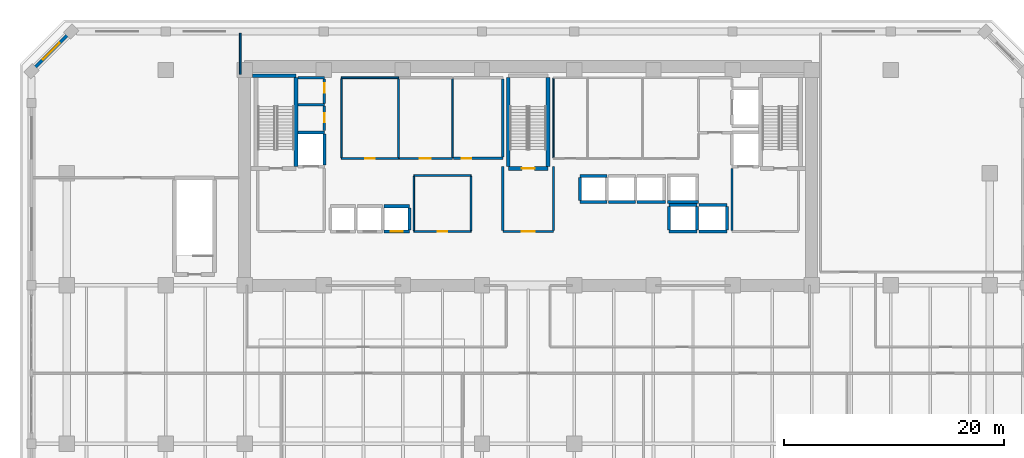
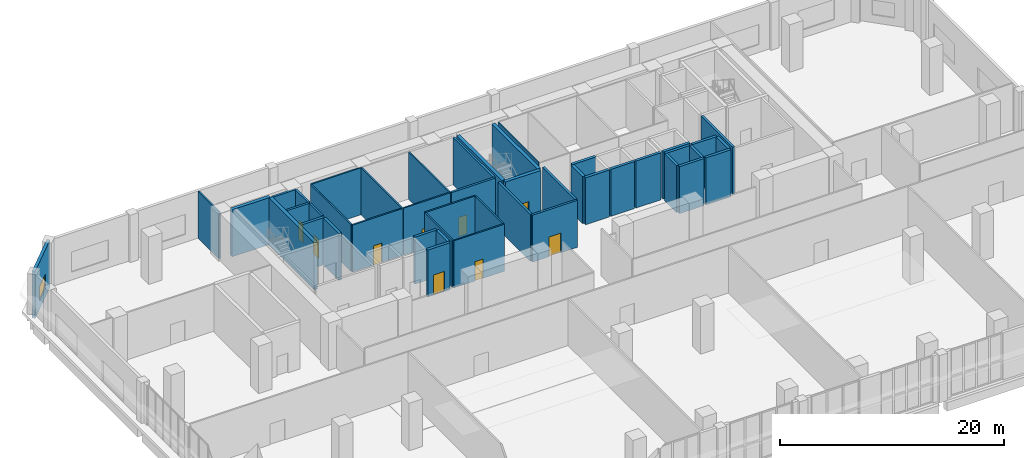
# One storey, part 19 of 25: 46 walls, 9 doors, 1 window, 10 openings.
"""IFC4 building model written with IfcOpenShell, lengths in metres."""

from ifc_helpers import new_model, si_unit, direction, frame, frame_2d, origin, place, context, subcontext, project, spatial, rectangle, extrude, material, layer, layer_set, type_object, element, fill, save


model = new_model("IFC4")

# Units and contexts
model_context = context("Model", 3, precision=1e-05, world=origin(), true_north=direction((0.0, 1.0)))
body_context = subcontext(model_context, "Body", "Model", "MODEL_VIEW")
ifc_project = project(units=[si_unit("LENGTHUNIT", "METRE"), si_unit("AREAUNIT", "SQUARE_METRE"), si_unit("VOLUMEUNIT", "CUBIC_METRE"), si_unit("PLANEANGLEUNIT", "RADIAN"), si_unit("MASSUNIT", "GRAM", prefix="KILO")], contexts=[model_context])

# Site, building, storey
site_placement = place(None, origin())
site = spatial("IfcSite", under=ifc_project, at=site_placement, CompositionType="ELEMENT")
building_placement = place(site_placement, origin())
building = spatial("IfcBuilding", under=site, at=building_placement, Name="Kaelvorn Grand Hotel", CompositionType="ELEMENT")
storey_placement = place(building_placement, frame((0.0, 0.0, 26.0)))
storey = spatial("IfcBuildingStorey", under=building, at=storey_placement, Name="L04", CompositionType="ELEMENT", Elevation=26.0)

# Wall, opening, window
ifc_material_1 = material(Name="Concrete C40/50", Category="concrete")
ifc_layer_1 = layer(ifc_material_1, 0.300048828125)
ifc_layer_set_1 = layer_set([ifc_layer_1], Name="Concrete C40/50")
wall_type_1 = type_object("IfcWallType", Name="WL-EXT-300-C40", PredefinedType="SOLIDWALL", material=ifc_layer_set_1)
wall_1_placement = place(storey_placement, frame((0.39990234375, 52.5, 0.0), z_axis=(0.0, 0.0, 1.0), x_axis=(-0.707082803744, -0.707130757816, 0.0)))
wall_1 = element("IfcWall", 1, at=wall_1_placement, inside=storey, type_object=wall_type_1, Name="L04 Exterior Architectural Concrete Wall 06", PredefinedType="SOLIDWALL", context=body_context, shape_type="SweptSolid", body=[
    extrude(rectangle(XDim=5.091064453125, YDim=0.300048828125, at=frame_2d((2.54541015625, 0.0))), origin(), (0.0, 0.0, 1.0), 5.1201171875),
])
opening_1_placement = place(wall_1_placement, frame((1.49560546875, 0.0, 0.85009765625)))
opening_1 = element("IfcOpeningElement", 2, at=opening_1_placement, cuts=wall_1, Name="Opening W7", PredefinedType="OPENING", context=body_context, shape_type="SweptSolid", body=[
    extrude(rectangle(XDim=2.10009765625, YDim=1.60009765625, at=frame_2d((1.050048828125, 0.800048828125))), frame((0.0, 0.16015625, 0.0), z_axis=(0.0, -1.0, 0.0), x_axis=(1.0, 0.0, 0.0)), (0.0, 0.0, 1.0), 0.320068359375),
])
ifc_material_2 = material(Name="Laminated Low-E Glass", Category="glass")
window_type = type_object("IfcWindowType", Name="WIN-CHM-2100x1600", PartitioningType="SINGLE_PANEL", PredefinedType="WINDOW", material=ifc_material_2)
window_placement = place(opening_1_placement, origin())
window = element("IfcWindow", 3, at=window_placement, inside=storey, type_object=window_type, Name="L04 Chamfered 45-Degree Corner Window NW", OverallHeight=1.60009765625, OverallWidth=2.10009765625, PartitioningType="SINGLE_PANEL", PredefinedType="WINDOW", context=body_context, shape_type="SweptSolid", body=[
    extrude(rectangle(XDim=2.10009765625, YDim=1.60009765625, at=frame_2d((1.050048828125, 0.800048828125))), frame((0.0, 0.030029296875, 0.0), z_axis=(0.0, -1.0, 0.0), x_axis=(1.0, 0.0, 0.0)), (0.0, 0.0, 1.0), 0.06005859375),
])
fill(opening_1, window)

# Wall
ifc_material_3 = material(Name="Moisture-Resistant Tile & Stud Board")
ifc_layer_2 = layer(ifc_material_3, 0.125)
ifc_layer_set_2 = layer_set([ifc_layer_2], Name="Moisture-Resistant Tile & Stud Board")
wall_type_2 = type_object("IfcWallType", Name="WL-PART-125-WET", PredefinedType="PARTITIONING", material=ifc_layer_set_2)
wall_2_placement = place(storey_placement, frame((44.300048828125, 41.017578125, 0.0), z_axis=(0.0, 0.0, 1.0), x_axis=(0.0, 1.0, 0.0)))
element("IfcWall", 4, at=wall_2_placement, inside=storey, type_object=wall_type_2, Name="L04 Accessible WC W Partition", PredefinedType="PARTITIONING", context=body_context, shape_type="SweptSolid", body=[
    extrude(rectangle(XDim=7.21484375, YDim=0.125, at=frame_2d((3.607421875, 0.0))), origin(), (0.0, 0.0, 1.0), 5.1201171875),
])

# Wall, opening, door
ifc_material_4 = material(Name="Acoustic Gypsum & Stud Partition")
ifc_layer_3 = layer(ifc_material_4, 0.14990234375)
ifc_layer_set_3 = layer_set([ifc_layer_3], Name="Acoustic Gypsum & Stud Partition")
wall_type_3 = type_object("IfcWallType", Name="WL-PART-150-EI60", PredefinedType="PARTITIONING", material=ifc_layer_set_3)
wall_3_placement = place(storey_placement, frame((31.60009765625, 34.300048828125, 0.0), z_axis=(0.0, 0.0, 1.0), x_axis=(1.0, 0.0, 0.0)))
wall_3 = element("IfcWall", 5, at=wall_3_placement, inside=storey, type_object=wall_type_3, Name="L04 Core Telecoms & BMS Server Room S Partition", PredefinedType="PARTITIONING", context=body_context, shape_type="SweptSolid", body=[
    extrude(rectangle(XDim=5.199951171875, YDim=0.14990234375, at=frame_2d((2.60009765625, 0.0))), origin(), (0.0, 0.0, 1.0), 5.1201171875),
])
opening_2_placement = place(wall_3_placement, frame((2.175048828125, 0.0, 0.0)))
opening_2 = element("IfcOpeningElement", 6, at=opening_2_placement, cuts=wall_3, Name="Opening DI7", PredefinedType="OPENING", context=body_context, shape_type="SweptSolid", body=[
    extrude(rectangle(XDim=0.85009765625, YDim=2.10009765625, at=frame_2d((0.425048828125, 1.050048828125))), frame((0.0, 0.0849609375, 0.0), z_axis=(0.0, -1.0, 0.0), x_axis=(1.0, 0.0, 0.0)), (0.0, 0.0, 1.0), 0.169921875),
])
ifc_material_5 = material(Name="Powder-Coated Steel Leaf", Category="steel")
door_type_1 = type_object("IfcDoorType", Name="DR-INT-RISER-850x2100", OperationType="NOTDEFINED", PredefinedType="DOOR", material=ifc_material_5)
door_1_placement = place(opening_2_placement, origin())
door_1 = element("IfcDoor", 7, at=door_1_placement, inside=storey, type_object=door_type_1, Name="L04 Core Telecoms & BMS Server Room Door", OperationType="SINGLE_SWING_LEFT", OverallHeight=2.10009765625, OverallWidth=0.85009765625, PredefinedType="DOOR", context=body_context, shape_type="SweptSolid", body=[
    extrude(rectangle(XDim=0.85009765625, YDim=2.10009765625, at=frame_2d((0.425048828125, 1.050048828125))), frame((0.0, 0.02490234375, 0.0), z_axis=(0.0, -1.0, 0.0), x_axis=(1.0, 0.0, 0.0)), (0.0, 0.0, 1.0), 0.050048828125),
])
fill(opening_2, door_1)

# Walls
wall_4_placement = place(storey_placement, frame((31.60009765625, 39.39990234375, 0.0), z_axis=(0.0, 0.0, 1.0), x_axis=(1.0, 0.0, 0.0)))
element("IfcWall", 8, at=wall_4_placement, inside=storey, type_object=wall_type_3, Name="L04 Core Telecoms & BMS Server Room N Partition", PredefinedType="PARTITIONING", context=body_context, shape_type="SweptSolid", body=[
    extrude(rectangle(XDim=5.199951171875, YDim=0.14990234375, at=frame_2d((2.60009765625, 0.0))), origin(), (0.0, 0.0, 1.0), 5.1201171875),
])
for number, where, z_axis, x_axis, name in (
    (9, (31.60009765625, 34.3798828125, 0.0), (0.0, 0.0, 1.0), (0.0, 1.0, 0.0), "L04 Core Telecoms & BMS Server Room W Partition"),
    (10, (36.800048828125, 34.3798828125, 0.0), (0.0, 0.0, 1.0), (0.0, 1.0, 0.0), "L04 Core Telecoms & BMS Server Room E Partition"),
):
    element("IfcWall", number, at=place(storey_placement, frame(where, z_axis=z_axis, x_axis=x_axis)), inside=storey, type_object=wall_type_3, Name=name, PredefinedType="PARTITIONING", context=body_context, shape_type="SweptSolid", body=[
        extrude(rectangle(XDim=4.940185546875, YDim=0.14990234375, at=frame_2d((2.47021484375, 0.0))), origin(), (0.0, 0.0, 1.0), 5.1201171875),
    ])

# Wall, opening, door
wall_5_placement = place(storey_placement, frame((25.0, 40.949951171875, 0.0), z_axis=(0.0, 0.0, 1.0), x_axis=(1.0, 0.0, 0.0)))
wall_5 = element("IfcWall", 11, at=wall_5_placement, inside=storey, type_object=wall_type_3, Name="L04 Central Janitor & Linen Store S Partition", PredefinedType="PARTITIONING", context=body_context, shape_type="SweptSolid", body=[
    extrude(rectangle(XDim=5.199951171875, YDim=0.14990234375, at=frame_2d((2.60009765625, 0.0))), origin(), (0.0, 0.0, 1.0), 5.1201171875),
])
opening_3_placement = place(wall_5_placement, frame((2.175048828125, 0.0, 0.0)))
opening_3 = element("IfcOpeningElement", 12, at=opening_3_placement, cuts=wall_5, Name="Opening DI7", PredefinedType="OPENING", context=body_context, shape_type="SweptSolid", body=[
    extrude(rectangle(XDim=0.85009765625, YDim=2.10009765625, at=frame_2d((0.425048828125, 1.050048828125))), frame((0.0, 0.0849609375, 0.0), z_axis=(0.0, -1.0, 0.0), x_axis=(1.0, 0.0, 0.0)), (0.0, 0.0, 1.0), 0.169921875),
])
door_2_placement = place(opening_3_placement, origin())
door_2 = element("IfcDoor", 13, at=door_2_placement, inside=storey, type_object=door_type_1, Name="L04 Central Janitor & Linen Store Door", OperationType="SINGLE_SWING_RIGHT", OverallHeight=2.10009765625, OverallWidth=0.85009765625, PredefinedType="DOOR", context=body_context, shape_type="SweptSolid", body=[
    extrude(rectangle(XDim=0.85009765625, YDim=2.10009765625, at=frame_2d((0.425048828125, 1.050048828125))), frame((0.0, 0.02490234375, 0.0), z_axis=(0.0, -1.0, 0.0), x_axis=(1.0, 0.0, 0.0)), (0.0, 0.0, 1.0), 0.050048828125),
])
fill(opening_3, door_2)

# Walls
wall_6_placement = place(storey_placement, frame((25.0, 48.300048828125, 0.0), z_axis=(0.0, 0.0, 1.0), x_axis=(1.0, 0.0, 0.0)))
element("IfcWall", 14, at=wall_6_placement, inside=storey, type_object=wall_type_3, Name="L04 Central Janitor & Linen Store N Partition", PredefinedType="PARTITIONING", context=body_context, shape_type="SweptSolid", body=[
    extrude(rectangle(XDim=5.199951171875, YDim=0.14990234375, at=frame_2d((2.60009765625, 0.0))), origin(), (0.0, 0.0, 1.0), 5.1201171875),
])
for number, where, z_axis, x_axis, name in (
    (15, (25.0, 41.030029296875, 0.0), (0.0, 0.0, 1.0), (0.0, 1.0, 0.0), "L04 Central Janitor & Linen Store W Partition"),
    (16, (30.199951171875, 41.030029296875, 0.0), (0.0, 0.0, 1.0), (0.0, 1.0, 0.0), "L04 Central Janitor & Linen Store E Partition"),
):
    element("IfcWall", number, at=place(storey_placement, frame(where, z_axis=z_axis, x_axis=x_axis)), inside=storey, type_object=wall_type_3, Name=name, PredefinedType="PARTITIONING", context=body_context, shape_type="SweptSolid", body=[
        extrude(rectangle(XDim=7.18994140625, YDim=0.14990234375, at=frame_2d((3.594970703125, 0.0))), origin(), (0.0, 0.0, 1.0), 5.1201171875),
    ])

# Wall, opening, door
wall_7_placement = place(storey_placement, frame((30.280029296875, 40.949951171875, 0.0), z_axis=(0.0, 0.0, 1.0), x_axis=(1.0, 0.0, 0.0)))
wall_7 = element("IfcWall", 17, at=wall_7_placement, inside=storey, type_object=wall_type_3, Name="L04 Room Service Servery Pantry S Partition", PredefinedType="PARTITIONING", context=body_context, shape_type="SweptSolid", body=[
    extrude(rectangle(XDim=4.820068359375, YDim=0.14990234375, at=frame_2d((2.41015625, 0.0))), origin(), (0.0, 0.0, 1.0), 5.1201171875),
])
opening_4_placement = place(wall_7_placement, frame((1.8701171875, 0.0, 0.0)))
opening_4 = element("IfcOpeningElement", 18, at=opening_4_placement, cuts=wall_7, Name="Opening DI3", PredefinedType="OPENING", context=body_context, shape_type="SweptSolid", body=[
    extrude(rectangle(XDim=1.0, YDim=2.14990234375, at=frame_2d((0.5, 1.074951171875))), frame((0.0, 0.0849609375, 0.0), z_axis=(0.0, -1.0, 0.0), x_axis=(1.0, 0.0, 0.0)), (0.0, 0.0, 1.0), 0.169921875),
])
ifc_material_6 = material(Name="Timber Veneer Fire Leaf", Category="wood")
door_type_2 = type_object("IfcDoorType", Name="DR-INT-GUEST-1000x2150", OperationType="NOTDEFINED", PredefinedType="DOOR", material=ifc_material_6)
door_3_placement = place(opening_4_placement, origin())
door_3 = element("IfcDoor", 19, at=door_3_placement, inside=storey, type_object=door_type_2, Name="L04 Room Service Servery Pantry Door", OperationType="SINGLE_SWING_LEFT", OverallHeight=2.14990234375, OverallWidth=1.0, PredefinedType="DOOR", context=body_context, shape_type="SweptSolid", body=[
    extrude(rectangle(XDim=1.0, YDim=2.14990234375, at=frame_2d((0.5, 1.074951171875))), frame((0.0, 0.02490234375, 0.0), z_axis=(0.0, -1.0, 0.0), x_axis=(1.0, 0.0, 0.0)), (0.0, 0.0, 1.0), 0.050048828125),
])
fill(opening_4, door_3)

# Walls
wall_8_placement = place(storey_placement, frame((35.10009765625, 41.030029296875, 0.0), z_axis=(0.0, 0.0, 1.0), x_axis=(0.0, 1.0, 0.0)))
element("IfcWall", 20, at=wall_8_placement, inside=storey, type_object=wall_type_3, Name="L04 Room Service Servery Pantry E Partition", PredefinedType="PARTITIONING", context=body_context, shape_type="SweptSolid", body=[
    extrude(rectangle(XDim=7.18994140625, YDim=0.14990234375, at=frame_2d((3.594970703125, 0.0))), origin(), (0.0, 0.0, 1.0), 5.1201171875),
])
wall_9_placement = place(storey_placement, frame((15.800048828125, 48.610107421875, 0.0), z_axis=(0.0, 0.0, 1.0), x_axis=(0.0, 1.0, 0.0)))
element("IfcWall", 21, at=wall_9_placement, inside=storey, type_object=wall_type_3, Name="L04 L04 North-West Banquet Support & Admin Office E Partition", PredefinedType="PARTITIONING", context=body_context, shape_type="SweptSolid", body=[
    extrude(rectangle(XDim=3.73486328125, YDim=0.14990234375, at=frame_2d((1.867431640625, 0.0))), origin(), (0.0, 0.0, 1.0), 5.1201171875),
])
ifc_layer_4 = layer(ifc_material_1, 0.219970703125)
ifc_layer_set_4 = layer_set([ifc_layer_4], Name="Concrete C40/50")
wall_type_4 = type_object("IfcWallType", Name="WL-PART-220-EI120", PredefinedType="PARTITIONING", material=ifc_layer_set_4)
wall_10_placement = place(storey_placement, frame((60.550048828125, 34.4150390625, 0.0), z_axis=(0.0, 0.0, 1.0), x_axis=(0.0, 1.0, 0.0)))
element("IfcWall", 22, at=wall_10_placement, inside=storey, type_object=wall_type_4, Name="L04 Firefighting Lift Lobby 2 W Partition", PredefinedType="PARTITIONING", context=body_context, shape_type="SweptSolid", body=[
    extrude(rectangle(XDim=5.639892578125, YDim=0.219970703125, at=frame_2d((2.81982421875, 0.0))), origin(), (0.0, 0.0, 1.0), 5.1201171875),
])

# Wall, opening, door
wall_11_placement = place(storey_placement, frame((39.699951171875, 34.300048828125, 0.0), z_axis=(0.0, 0.0, 1.0), x_axis=(1.0, 0.0, 0.0)))
wall_11 = element("IfcWall", 23, at=wall_11_placement, inside=storey, type_object=wall_type_4, Name="L04 Central Stair Escape Vestibule S Partition", PredefinedType="PARTITIONING", context=body_context, shape_type="SweptSolid", body=[
    extrude(rectangle(XDim=4.60009765625, YDim=0.219970703125, at=frame_2d((2.300048828125, 0.0))), origin(), (0.0, 0.0, 1.0), 5.1201171875),
])
opening_5_placement = place(wall_11_placement, frame((1.699951171875, 0.0, 0.0)))
opening_5 = element("IfcOpeningElement", 24, at=opening_5_placement, cuts=wall_11, Name="Opening DI2", PredefinedType="OPENING", context=body_context, shape_type="SweptSolid", body=[
    extrude(rectangle(XDim=1.199951171875, YDim=2.14990234375, at=frame_2d((0.60009765625, 1.074951171875))), frame((0.0, 0.1201171875, 0.0), z_axis=(0.0, -1.0, 0.0), x_axis=(1.0, 0.0, 0.0)), (0.0, 0.0, 1.0), 0.239990234375),
])
door_type_3 = type_object("IfcDoorType", Name="DR-INT-FFLOB-1200x2150", OperationType="NOTDEFINED", PredefinedType="DOOR", material=ifc_material_6)
door_4_placement = place(opening_5_placement, origin())
door_4 = element("IfcDoor", 25, at=door_4_placement, inside=storey, type_object=door_type_3, Name="L04 Central Stair Escape Vestibule Door", OperationType="SINGLE_SWING_LEFT", OverallHeight=2.14990234375, OverallWidth=1.199951171875, PredefinedType="DOOR", context=body_context, shape_type="SweptSolid", body=[
    extrude(rectangle(XDim=1.199951171875, YDim=2.14990234375, at=frame_2d((0.60009765625, 1.074951171875))), frame((0.0, 0.02490234375, 0.0), z_axis=(0.0, -1.0, 0.0), x_axis=(1.0, 0.0, 0.0)), (0.0, 0.0, 1.0), 0.050048828125),
])
fill(opening_5, door_4)

# Walls
for number, where, z_axis, x_axis, name in (
    (26, (39.699951171875, 34.4150390625, 0.0), (0.0, 0.0, 1.0), (0.0, 1.0, 0.0), "L04 Central Stair Escape Vestibule W Partition"),
    (27, (44.300048828125, 34.4150390625, 0.0), (0.0, 0.0, 1.0), (0.0, 1.0, 0.0), "L04 Central Stair Escape Vestibule E Partition"),
):
    element("IfcWall", number, at=place(storey_placement, frame(where, z_axis=z_axis, x_axis=x_axis)), inside=storey, type_object=wall_type_4, Name=name, PredefinedType="PARTITIONING", context=body_context, shape_type="SweptSolid", body=[
        extrude(rectangle(XDim=5.784912109375, YDim=0.219970703125, at=frame_2d((2.892578125, 0.0))), origin(), (0.0, 0.0, 1.0), 5.1201171875),
    ])
wall_12_placement = place(storey_placement, frame((21.034912109375, 45.85009765625, 0.0), z_axis=(0.0, 0.0, 1.0), x_axis=(1.0, 0.0, 0.0)))
element("IfcWall", 28, at=wall_12_placement, inside=storey, type_object=wall_type_4, Name="L04 Wet Fire & Plumbing Riser Shaft N Partition", PredefinedType="PARTITIONING", context=body_context, shape_type="SweptSolid", body=[
    extrude(rectangle(XDim=2.4150390625, YDim=0.219970703125, at=frame_2d((1.20751953125, 0.0))), origin(), (0.0, 0.0, 1.0), 5.1201171875),
])

# Wall, opening, door
wall_13_placement = place(storey_placement, frame((23.449951171875, 43.5, 0.0), z_axis=(0.0, 0.0, 1.0), x_axis=(0.0, 1.0, 0.0)))
wall_13 = element("IfcWall", 29, at=wall_13_placement, inside=storey, type_object=wall_type_4, Name="L04 Wet Fire & Plumbing Riser Shaft E Partition", PredefinedType="PARTITIONING", context=body_context, shape_type="SweptSolid", body=[
    extrude(rectangle(XDim=2.235107421875, YDim=0.219970703125, at=frame_2d((1.11767578125, 0.0))), origin(), (0.0, 0.0, 1.0), 5.1201171875),
])
opening_6_placement = place(wall_13_placement, frame((0.72509765625, 0.0, 0.0)))
opening_6 = element("IfcOpeningElement", 30, at=opening_6_placement, cuts=wall_13, Name="Opening DI7", PredefinedType="OPENING", context=body_context, shape_type="SweptSolid", body=[
    extrude(rectangle(XDim=0.85009765625, YDim=2.10009765625, at=frame_2d((0.425048828125, 1.050048828125))), frame((0.0, 0.1201171875, 0.0), z_axis=(0.0, -1.0, 0.0), x_axis=(1.0, 0.0, 0.0)), (0.0, 0.0, 1.0), 0.239990234375),
])
door_5_placement = place(opening_6_placement, origin())
door_5 = element("IfcDoor", 31, at=door_5_placement, inside=storey, type_object=door_type_1, Name="L04 Wet Fire & Plumbing Riser Shaft Door", OperationType="SINGLE_SWING_LEFT", OverallHeight=2.10009765625, OverallWidth=0.85009765625, PredefinedType="DOOR", context=body_context, shape_type="SweptSolid", body=[
    extrude(rectangle(XDim=0.85009765625, YDim=2.10009765625, at=frame_2d((0.425048828125, 1.050048828125))), frame((0.0, 0.02490234375, 0.0), z_axis=(0.0, -1.0, 0.0), x_axis=(1.0, 0.0, 0.0)), (0.0, 0.0, 1.0), 0.050048828125),
])
fill(opening_6, door_5)

# Wall
wall_14_placement = place(storey_placement, frame((21.034912109375, 48.300048828125, 0.0), z_axis=(0.0, 0.0, 1.0), x_axis=(1.0, 0.0, 0.0)))
element("IfcWall", 32, at=wall_14_placement, inside=storey, type_object=wall_type_4, Name="L04 HV Electrical & Smoke Riser N Partition", PredefinedType="PARTITIONING", context=body_context, shape_type="SweptSolid", body=[
    extrude(rectangle(XDim=2.4150390625, YDim=0.219970703125, at=frame_2d((1.20751953125, 0.0))), origin(), (0.0, 0.0, 1.0), 5.1201171875),
])

# Wall, opening, door
wall_15_placement = place(storey_placement, frame((23.449951171875, 45.965087890625, 0.0), z_axis=(0.0, 0.0, 1.0), x_axis=(0.0, 1.0, 0.0)))
wall_15 = element("IfcWall", 33, at=wall_15_placement, inside=storey, type_object=wall_type_4, Name="L04 HV Electrical & Smoke Riser E Partition", PredefinedType="PARTITIONING", context=body_context, shape_type="SweptSolid", body=[
    extrude(rectangle(XDim=2.219970703125, YDim=0.219970703125, at=frame_2d((1.10986328125, 0.0))), origin(), (0.0, 0.0, 1.0), 5.1201171875),
])
opening_7_placement = place(wall_15_placement, frame((0.9599609375, 0.0, 0.0)))
opening_7 = element("IfcOpeningElement", 34, at=opening_7_placement, cuts=wall_15, Name="Opening DI7", PredefinedType="OPENING", context=body_context, shape_type="SweptSolid", body=[
    extrude(rectangle(XDim=0.85009765625, YDim=2.10009765625, at=frame_2d((0.425048828125, 1.050048828125))), frame((0.0, 0.1201171875, 0.0), z_axis=(0.0, -1.0, 0.0), x_axis=(1.0, 0.0, 0.0)), (0.0, 0.0, 1.0), 0.239990234375),
])
door_6_placement = place(opening_7_placement, origin())
door_6 = element("IfcDoor", 35, at=door_6_placement, inside=storey, type_object=door_type_1, Name="L04 HV Electrical & Smoke Riser Door", OperationType="SINGLE_SWING_RIGHT", OverallHeight=2.10009765625, OverallWidth=0.85009765625, PredefinedType="DOOR", context=body_context, shape_type="SweptSolid", body=[
    extrude(rectangle(XDim=0.85009765625, YDim=2.10009765625, at=frame_2d((0.425048828125, 1.050048828125))), frame((0.0, 0.02490234375, 0.0), z_axis=(0.0, -1.0, 0.0), x_axis=(1.0, 0.0, 0.0)), (0.0, 0.0, 1.0), 0.050048828125),
])
fill(opening_7, door_6)

wall_16_placement = place(storey_placement, frame((35.179931640625, 40.949951171875, 0.0), z_axis=(0.0, 0.0, 1.0), x_axis=(1.0, 0.0, 0.0)))
wall_16 = element("IfcWall", 36, at=wall_16_placement, inside=storey, type_object=wall_type_4, Name="L04 Floor Electrical Switchroom S Partition", PredefinedType="PARTITIONING", context=body_context, shape_type="SweptSolid", body=[
    extrude(rectangle(XDim=4.52001953125, YDim=0.219970703125, at=frame_2d((2.260009765625, 0.0))), origin(), (0.0, 0.0, 1.0), 5.1201171875),
])
opening_8_placement = place(wall_16_placement, frame((0.794921875, 0.0, 0.0)))
opening_8 = element("IfcOpeningElement", 37, at=opening_8_placement, cuts=wall_16, Name="Opening DI7", PredefinedType="OPENING", context=body_context, shape_type="SweptSolid", body=[
    extrude(rectangle(XDim=0.85009765625, YDim=2.10009765625, at=frame_2d((0.425048828125, 1.050048828125))), frame((0.0, 0.1201171875, 0.0), z_axis=(0.0, -1.0, 0.0), x_axis=(1.0, 0.0, 0.0)), (0.0, 0.0, 1.0), 0.239990234375),
])
door_7_placement = place(opening_8_placement, origin())
door_7 = element("IfcDoor", 38, at=door_7_placement, inside=storey, type_object=door_type_1, Name="L04 Floor Electrical Switchroom Door", OperationType="SINGLE_SWING_RIGHT", OverallHeight=2.10009765625, OverallWidth=0.85009765625, PredefinedType="DOOR", context=body_context, shape_type="SweptSolid", body=[
    extrude(rectangle(XDim=0.85009765625, YDim=2.10009765625, at=frame_2d((0.425048828125, 1.050048828125))), frame((0.0, 0.02490234375, 0.0), z_axis=(0.0, -1.0, 0.0), x_axis=(1.0, 0.0, 0.0)), (0.0, 0.0, 1.0), 0.050048828125),
])
fill(opening_8, door_7)

# Wall
wall_17_placement = place(storey_placement, frame((39.699951171875, 41.06494140625, 0.0), z_axis=(0.0, 0.0, 1.0), x_axis=(0.0, 1.0, 0.0)))
element("IfcWall", 39, at=wall_17_placement, inside=storey, type_object=wall_type_4, Name="L04 Floor Electrical Switchroom E Partition", PredefinedType="PARTITIONING", context=body_context, shape_type="SweptSolid", body=[
    extrude(rectangle(XDim=7.1201171875, YDim=0.219970703125, at=frame_2d((3.56005859375, 0.0))), origin(), (0.0, 0.0, 1.0), 5.1201171875),
])

# Wall, opening, door
ifc_material_7 = material(Name="Concrete C50/60", Category="concrete")
ifc_layer_5 = layer(ifc_material_7, 0.280029296875)
ifc_layer_set_5 = layer_set([ifc_layer_5], Name="Concrete C50/60")
wall_type_5 = type_object("IfcWallType", Name="WL-SHAFT-280-C50", PredefinedType="SHEAR", material=ifc_layer_set_5)
wall_18_placement = place(storey_placement, frame((28.89990234375, 34.300048828125, 0.0), z_axis=(0.0, 0.0, 1.0), x_axis=(1.0, 0.0, 0.0)))
wall_18 = element("IfcWall", 40, at=wall_18_placement, inside=storey, type_object=wall_type_5, Name="L04 Lift PL-L3 Shaft South Wall", PredefinedType="SHEAR", context=body_context, shape_type="SweptSolid", body=[
    extrude(rectangle(XDim=2.300048828125, YDim=0.280029296875, at=frame_2d((1.14990234375, 0.0))), origin(), (0.0, 0.0, 1.0), 5.1201171875),
])
opening_9_placement = place(wall_18_placement, frame((0.60009765625, 0.0, 0.0)))
opening_9 = element("IfcOpeningElement", 41, at=opening_9_placement, cuts=wall_18, Name="Opening LD-PL-L3", PredefinedType="OPENING", context=body_context, shape_type="SweptSolid", body=[
    extrude(rectangle(XDim=1.10009765625, YDim=2.199951171875, at=frame_2d((0.550048828125, 1.10009765625))), frame((0.0, 0.14990234375, 0.0), z_axis=(0.0, -1.0, 0.0), x_axis=(1.0, 0.0, 0.0)), (0.0, 0.0, 1.0), 0.300048828125),
])
ifc_material_8 = material(Name="Stainless Steel", Category="steel")
door_type_4 = type_object("IfcDoorType", Name="DR-LIFT-PASS-1100x2200", OperationType="DOUBLE_DOOR_SLIDING", PredefinedType="DOOR", material=ifc_material_8)
door_8_placement = place(opening_9_placement, origin())
door_8 = element("IfcDoor", 42, at=door_8_placement, inside=storey, type_object=door_type_4, Name="L04 Lift PL-L3 Sliding Landing Door LD-PL-L3", OperationType="DOUBLE_DOOR_SLIDING", OverallHeight=2.199951171875, OverallWidth=1.10009765625, PredefinedType="DOOR", context=body_context, shape_type="SweptSolid", body=[
    extrude(rectangle(XDim=1.10009765625, YDim=2.199951171875, at=frame_2d((0.550048828125, 1.10009765625))), frame((0.0, 0.02490234375, 0.0), z_axis=(0.0, -1.0, 0.0), x_axis=(1.0, 0.0, 0.0)), (0.0, 0.0, 1.0), 0.050048828125),
])
fill(opening_9, door_8)

# Walls
wall_19_placement = place(storey_placement, frame((28.89990234375, 36.60009765625, 0.0), z_axis=(0.0, 0.0, 1.0), x_axis=(1.0, 0.0, 0.0)))
element("IfcWall", 43, at=wall_19_placement, inside=storey, type_object=wall_type_5, Name="L04 Lift PL-L3 Shaft North Wall", PredefinedType="SHEAR", context=body_context, shape_type="SweptSolid", body=[
    extrude(rectangle(XDim=2.300048828125, YDim=0.280029296875, at=frame_2d((1.14990234375, 0.0))), origin(), (0.0, 0.0, 1.0), 5.1201171875),
])
wall_20_placement = place(storey_placement, frame((31.199951171875, 34.445068359375, 0.0), z_axis=(0.0, 0.0, 1.0), x_axis=(0.0, 1.0, 0.0)))
element("IfcWall", 44, at=wall_20_placement, inside=storey, type_object=wall_type_5, Name="L04 Lift PL-L3 Shaft East Wall", PredefinedType="SHEAR", context=body_context, shape_type="SweptSolid", body=[
    extrude(rectangle(XDim=2.010009765625, YDim=0.280029296875, at=frame_2d((1.0048828125, 0.0))), origin(), (0.0, 0.0, 1.0), 5.1201171875),
])
for number, where, z_axis, x_axis, name in (
    (45, (46.699951171875, 37.0, 0.0), (0.0, 0.0, 1.0), (1.0, 0.0, 0.0), "L04 Lift SL-1 Shaft South Wall"),
    (46, (46.699951171875, 39.35009765625, 0.0), (0.0, 0.0, 1.0), (1.0, 0.0, 0.0), "L04 Lift SL-1 Shaft North Wall"),
):
    element("IfcWall", number, at=place(storey_placement, frame(where, z_axis=z_axis, x_axis=x_axis)), inside=storey, type_object=wall_type_5, Name=name, PredefinedType="SHEAR", context=body_context, shape_type="SweptSolid", body=[
        extrude(rectangle(XDim=2.449951171875, YDim=0.280029296875, at=frame_2d((1.22509765625, 0.0))), origin(), (0.0, 0.0, 1.0), 5.1201171875),
    ])
wall_21_placement = place(storey_placement, frame((46.699951171875, 37.14501953125, 0.0), z_axis=(0.0, 0.0, 1.0), x_axis=(0.0, 1.0, 0.0)))
element("IfcWall", 47, at=wall_21_placement, inside=storey, type_object=wall_type_5, Name="L04 Lift SL-1 Shaft West Wall", PredefinedType="SHEAR", context=body_context, shape_type="SweptSolid", body=[
    extrude(rectangle(XDim=2.06005859375, YDim=0.280029296875, at=frame_2d((1.030029296875, 0.0))), origin(), (0.0, 0.0, 1.0), 5.1201171875),
])
wall_22_placement = place(storey_placement, frame((49.300048828125, 37.0, 0.0), z_axis=(0.0, 0.0, 1.0), x_axis=(1.0, 0.0, 0.0)))
element("IfcWall", 48, at=wall_22_placement, inside=storey, type_object=wall_type_5, Name="L04 Lift SL-2 Shaft South Wall", PredefinedType="SHEAR", context=body_context, shape_type="SweptSolid", body=[
    extrude(rectangle(XDim=2.449951171875, YDim=0.280029296875, at=frame_2d((1.22509765625, 0.0))), origin(), (0.0, 0.0, 1.0), 5.1201171875),
])
wall_23_placement = place(storey_placement, frame((51.89990234375, 37.0, 0.0), z_axis=(0.0, 0.0, 1.0), x_axis=(1.0, 0.0, 0.0)))
element("IfcWall", 49, at=wall_23_placement, inside=storey, type_object=wall_type_5, Name="L04 Lift SL-3 Shaft South Wall", PredefinedType="SHEAR", context=body_context, shape_type="SweptSolid", body=[
    extrude(rectangle(XDim=2.590087890625, YDim=0.280029296875, at=frame_2d((1.294921875, 0.0))), origin(), (0.0, 0.0, 1.0), 5.1201171875),
])
for number, where, z_axis, x_axis, name in (
    (50, (54.800048828125, 34.300048828125, 0.0), (0.0, 0.0, 1.0), (1.0, 0.0, 0.0), "L04 Lift OL-1 Shaft South Wall"),
    (51, (54.800048828125, 36.699951171875, 0.0), (0.0, 0.0, 1.0), (1.0, 0.0, 0.0), "L04 Lift OL-1 Shaft North Wall"),
):
    element("IfcWall", number, at=place(storey_placement, frame(where, z_axis=z_axis, x_axis=x_axis)), inside=storey, type_object=wall_type_5, Name=name, PredefinedType="SHEAR", context=body_context, shape_type="SweptSolid", body=[
        extrude(rectangle(XDim=2.550048828125, YDim=0.280029296875, at=frame_2d((1.27490234375, 0.0))), origin(), (0.0, 0.0, 1.0), 5.1201171875),
    ])
for number, where, z_axis, x_axis, name in (
    (52, (54.800048828125, 34.445068359375, 0.0), (0.0, 0.0, 1.0), (0.0, 1.0, 0.0), "L04 Lift OL-1 Shaft West Wall"),
    (53, (57.35009765625, 34.445068359375, 0.0), (0.0, 0.0, 1.0), (0.0, 1.0, 0.0), "L04 Lift OL-1 Shaft East Wall"),
):
    element("IfcWall", number, at=place(storey_placement, frame(where, z_axis=z_axis, x_axis=x_axis)), inside=storey, type_object=wall_type_5, Name=name, PredefinedType="SHEAR", context=body_context, shape_type="SweptSolid", body=[
        extrude(rectangle(XDim=2.10986328125, YDim=0.280029296875, at=frame_2d((1.054931640625, 0.0))), origin(), (0.0, 0.0, 1.0), 5.1201171875),
    ])
for number, where, z_axis, x_axis, name in (
    (54, (57.550048828125, 34.300048828125, 0.0), (0.0, 0.0, 1.0), (1.0, 0.0, 0.0), "L04 Lift OL-2 Shaft South Wall"),
    (55, (57.550048828125, 36.699951171875, 0.0), (0.0, 0.0, 1.0), (1.0, 0.0, 0.0), "L04 Lift OL-2 Shaft North Wall"),
):
    element("IfcWall", number, at=place(storey_placement, frame(where, z_axis=z_axis, x_axis=x_axis)), inside=storey, type_object=wall_type_5, Name=name, PredefinedType="SHEAR", context=body_context, shape_type="SweptSolid", body=[
        extrude(rectangle(XDim=2.550048828125, YDim=0.280029296875, at=frame_2d((1.27490234375, 0.0))), origin(), (0.0, 0.0, 1.0), 5.1201171875),
    ])
wall_24_placement = place(storey_placement, frame((60.10009765625, 34.445068359375, 0.0), z_axis=(0.0, 0.0, 1.0), x_axis=(0.0, 1.0, 0.0)))
element("IfcWall", 56, at=wall_24_placement, inside=storey, type_object=wall_type_5, Name="L04 Lift OL-2 Shaft East Wall", PredefinedType="SHEAR", context=body_context, shape_type="SweptSolid", body=[
    extrude(rectangle(XDim=2.10986328125, YDim=0.280029296875, at=frame_2d((1.054931640625, 0.0))), origin(), (0.0, 0.0, 1.0), 5.1201171875),
])
wall_25_placement = place(storey_placement, frame((54.659912109375, 37.0, 0.0), z_axis=(0.0, 0.0, 1.0), x_axis=(1.0, 0.0, 0.0)))
element("IfcWall", 57, at=wall_25_placement, inside=storey, type_object=wall_type_5, Name="L04 Lift OL-3 Shaft South Wall", PredefinedType="SHEAR", context=body_context, shape_type="SweptSolid", body=[
    extrude(rectangle(XDim=2.830078125, YDim=0.280029296875, at=frame_2d((1.4150390625, 0.0))), origin(), (0.0, 0.0, 1.0), 5.1201171875),
])
wall_26_placement = place(storey_placement, frame((21.034912109375, 43.300048828125, 0.0), z_axis=(0.0, 0.0, 1.0), x_axis=(1.0, 0.0, 0.0)))
element("IfcWall", 58, at=wall_26_placement, inside=storey, type_object=wall_type_5, Name="L04 Lift FFL1 Shaft North Wall", PredefinedType="SHEAR", context=body_context, shape_type="SweptSolid", body=[
    extrude(rectangle(XDim=2.4150390625, YDim=0.280029296875, at=frame_2d((1.20751953125, 0.0))), origin(), (0.0, 0.0, 1.0), 5.1201171875),
])
wall_27_placement = place(storey_placement, frame((23.449951171875, 40.344970703125, 0.0), z_axis=(0.0, 0.0, 1.0), x_axis=(0.0, 1.0, 0.0)))
element("IfcWall", 59, at=wall_27_placement, inside=storey, type_object=wall_type_5, Name="L04 Lift FFL1 Shaft East Wall", PredefinedType="SHEAR", context=body_context, shape_type="SweptSolid", body=[
    extrude(rectangle(XDim=2.81005859375, YDim=0.280029296875, at=frame_2d((1.405029296875, 0.0))), origin(), (0.0, 0.0, 1.0), 5.1201171875),
])
ifc_material_9 = material(Name="Concrete C60/75", Category="concrete")
ifc_layer_6 = layer(ifc_material_9, 0.35009765625)
ifc_layer_set_6 = layer_set([ifc_layer_6], Name="Concrete C60/75")
wall_type_6 = type_object("IfcWallType", Name="WL-SHAFT-350-C60", PredefinedType="SHEAR", material=ifc_layer_set_6)
wall_28_placement = place(storey_placement, frame((16.905029296875, 48.47509765625, 0.0), z_axis=(0.0, 0.0, 1.0), x_axis=(1.0, 0.0, 0.0)))
element("IfcWall", 60, at=wall_28_placement, inside=storey, type_object=wall_type_6, Name="L04 ST1 Stair Shaft North Wall", PredefinedType="SHEAR", context=body_context, shape_type="SweptSolid", body=[
    extrude(rectangle(XDim=3.949951171875, YDim=0.35009765625, at=frame_2d((1.97509765625, 0.0))), origin(), (0.0, 0.0, 1.0), 5.1201171875),
])
wall_29_placement = place(storey_placement, frame((20.85498046875, 40.205078125, 0.0), z_axis=(0.0, 0.0, 1.0), x_axis=(0.0, 1.0, 0.0)))
element("IfcWall", 61, at=wall_29_placement, inside=storey, type_object=wall_type_6, Name="L04 ST1 Stair Shaft East Wall", PredefinedType="SHEAR", context=body_context, shape_type="SweptSolid", body=[
    extrude(rectangle(XDim=8.08984375, YDim=0.35009765625, at=frame_2d((4.044921875, 0.0))), origin(), (0.0, 0.0, 1.0), 5.1201171875),
])

# Wall, opening, door
wall_30_placement = place(storey_placement, frame((40.18505859375, 40.02490234375, 0.0), z_axis=(0.0, 0.0, 1.0), x_axis=(1.0, 0.0, 0.0)))
wall_30 = element("IfcWall", 62, at=wall_30_placement, inside=storey, type_object=wall_type_6, Name="L04 ST2 Stair Shaft South Wall", PredefinedType="SHEAR", context=body_context, shape_type="SweptSolid", body=[
    extrude(rectangle(XDim=3.6298828125, YDim=0.35009765625, at=frame_2d((1.81494140625, 0.0))), origin(), (0.0, 0.0, 1.0), 5.1201171875),
])
opening_10_placement = place(wall_30_placement, frame((1.239990234375, 0.0, 0.0)))
opening_10 = element("IfcOpeningElement", 63, at=opening_10_placement, cuts=wall_30, Name="Opening DI1", PredefinedType="OPENING", context=body_context, shape_type="SweptSolid", body=[
    extrude(rectangle(XDim=1.14990234375, YDim=2.14990234375, at=frame_2d((0.574951171875, 1.074951171875))), frame((0.0, 0.18505859375, 0.0), z_axis=(0.0, -1.0, 0.0), x_axis=(1.0, 0.0, 0.0)), (0.0, 0.0, 1.0), 0.3701171875),
])
door_type_5 = type_object("IfcDoorType", Name="DR-INT-STAIR-1150x2150", OperationType="NOTDEFINED", PredefinedType="DOOR", material=ifc_material_6)
door_9_placement = place(opening_10_placement, origin())
door_9 = element("IfcDoor", 64, at=door_9_placement, inside=storey, type_object=door_type_5, Name="L04 ST2 Exit Stair Fire Door", OperationType="SINGLE_SWING_RIGHT", OverallHeight=2.14990234375, OverallWidth=1.14990234375, PredefinedType="DOOR", context=body_context, shape_type="SweptSolid", body=[
    extrude(rectangle(XDim=1.14990234375, YDim=2.14990234375, at=frame_2d((0.574951171875, 1.074951171875))), frame((0.0, 0.02490234375, 0.0), z_axis=(0.0, -1.0, 0.0), x_axis=(1.0, 0.0, 0.0)), (0.0, 0.0, 1.0), 0.050048828125),
])
fill(opening_10, door_9)

# Walls
for number, where, z_axis, x_axis, name in (
    (65, (40.18505859375, 40.205078125, 0.0), (0.0, 0.0, 1.0), (0.0, 1.0, 0.0), "L04 ST2 Stair Shaft West Wall"),
    (66, (43.81494140625, 40.205078125, 0.0), (0.0, 0.0, 1.0), (0.0, 1.0, 0.0), "L04 ST2 Stair Shaft East Wall"),
):
    element("IfcWall", number, at=place(storey_placement, frame(where, z_axis=z_axis, x_axis=x_axis)), inside=storey, type_object=wall_type_6, Name=name, PredefinedType="SHEAR", context=body_context, shape_type="SweptSolid", body=[
        extrude(rectangle(XDim=8.08984375, YDim=0.35009765625, at=frame_2d((4.044921875, 0.0))), origin(), (0.0, 0.0, 1.0), 5.1201171875),
    ])

save(model, "model.ifc")
